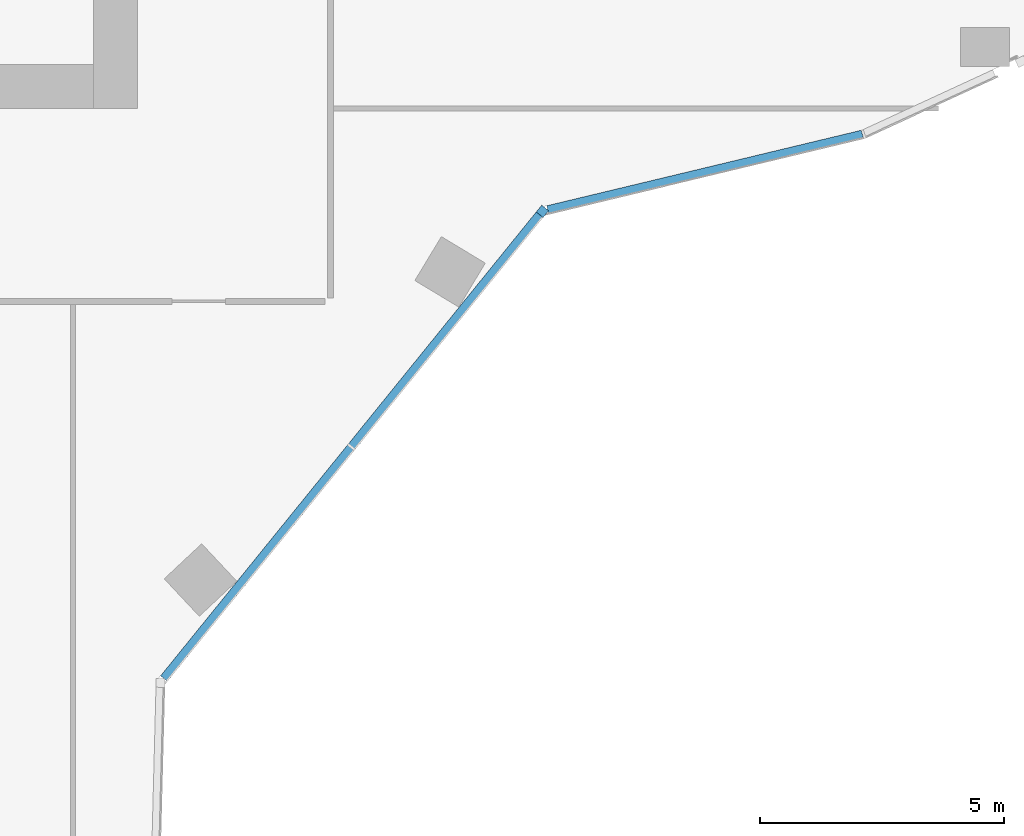
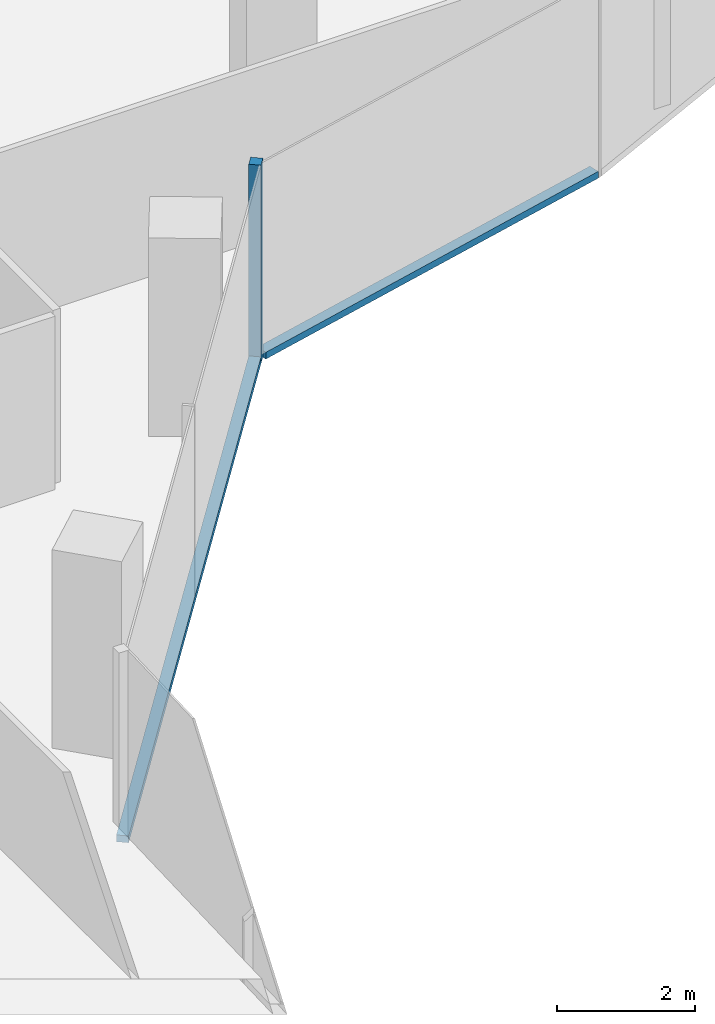
# One storey, part 6 of 23: 3 members, 2 elements without a shape of their own.
"""IFC4 building model written with IfcOpenShell, lengths in metres."""

from ifc_helpers import new_model, si_unit, direction, frame, origin, origin_2d, place, context, subcontext, project, spatial, rectangle, extrude, material, material_profile, profile_set, type_object, element, aggregate, save


model = new_model("IFC4")

# Units and contexts
model_context = context("Model", 3, precision=1e-05, world=origin(), true_north=direction((0.0, 1.0)))
body_context = subcontext(model_context, "Body", "Model", "MODEL_VIEW")
ifc_project = project(units=[si_unit("LENGTHUNIT", "METRE"), si_unit("AREAUNIT", "SQUARE_METRE"), si_unit("VOLUMEUNIT", "CUBIC_METRE"), si_unit("PLANEANGLEUNIT", "RADIAN"), si_unit("MASSUNIT", "GRAM", prefix="KILO")], contexts=[model_context])

# Site, building, storey
site_placement = place(None, origin())
site = spatial("IfcSite", under=ifc_project, at=site_placement, CompositionType="ELEMENT")
building_placement = place(site_placement, origin())
building = spatial("IfcBuilding", under=site, at=building_placement, Name="Orlundy Tower", CompositionType="ELEMENT")
storey_placement = place(building_placement, frame((0.0, 0.0, 221.0)))
storey = spatial("IfcBuildingStorey", under=building, at=storey_placement, Name="L58", CompositionType="ELEMENT", Elevation=221.0)

# Curtain wall, member
ifc_material_1 = material(Name="Aluminium bronze anodised", Category="aluminium")
curtain_wall_type = type_object("IfcCurtainWallType", Name="CW1 wall", PredefinedType="NOTDEFINED", material=ifc_material_1)
curtain_wall_1_placement = place(storey_placement, origin())
curtain_wall_1 = element("IfcCurtainWall", 1, at=curtain_wall_1_placement, inside=storey, type_object=curtain_wall_type, Name="CW1 run 017", PredefinedType="NOTDEFINED")
ifc_material_2 = material(Name="Aluminium bronze anodised", Category="aluminium")
ifc_material_profile_1 = material_profile(ifc_material_2, rectangle(XDim=0.179931640625, YDim=0.179931640625, at=origin_2d()), Name="CW1 corner post 180x180")
ifc_profile_set_1 = profile_set([ifc_material_profile_1], Name="Aluminium bronze anodised")
member_type_1 = type_object("IfcMemberType", Name="CW1 corner post 180x180", PredefinedType="MULLION", material=ifc_profile_set_1)
member_1_placement = place(storey_placement, frame((27.293701171875, -14.1083984375, -0.419921875), z_axis=(0.0, 0.0, 1.0), x_axis=(0.777119891969, -0.629352582823, 0.0)))
member_1 = element("IfcMember", 2, at=member_1_placement, type_object=member_type_1, Name="CW1 mullion 37", PredefinedType="MULLION", context=body_context, shape_type="SweptSolid", body=[
    extrude(rectangle(XDim=0.179931640625, YDim=0.179931640625, at=origin_2d()), origin(), (0.0, 0.0, 1.0), 3.5),
])

curtain_wall_2_placement = place(storey_placement, origin())
curtain_wall_2 = element("IfcCurtainWall", 3, at=curtain_wall_2_placement, inside=storey, type_object=curtain_wall_type, Name="CW1 run 016", PredefinedType="NOTDEFINED")
ifc_material_3 = material(Name="Aluminium bronze anodised", Category="aluminium")
ifc_material_profile_2 = material_profile(ifc_material_3, rectangle(XDim=0.179931640625, YDim=0.1201171875, at=origin_2d()), Name="CW1 transom 180x120")
ifc_profile_set_2 = profile_set([ifc_material_profile_2], Name="Aluminium bronze anodised")
member_type_2 = type_object("IfcMemberType", Name="CW1 transom 180x120", PredefinedType="USERDEFINED", material=ifc_profile_set_2)
member_2_placement = place(storey_placement, frame((33.84521484375, -12.535400390625, -0.360107421875), z_axis=(-0.972369902836, -0.233445437007, 0.0), x_axis=(0.233445437007, -0.972369902836, 0.0)))
member_2 = element("IfcMember", 4, at=member_2_placement, type_object=member_type_2, Name="CW1 transom", ObjectType="TRANSOM", PredefinedType="USERDEFINED", context=body_context, shape_type="SweptSolid", body=[
    extrude(rectangle(XDim=0.179931640625, YDim=0.1201171875, at=origin_2d()), origin(), (0.0, 0.0, 1.0), 6.624267578125),
])
aggregate(curtain_wall_2, [member_2])

# Member
member_3_placement = place(storey_placement, frame((27.237060546875, -14.17822265625, -0.360107421875), z_axis=(-0.629341885038, -0.777128555477, 0.0), x_axis=(0.777128555477, -0.629341885038, 0.0)))
member_3 = element("IfcMember", 5, at=member_3_placement, type_object=member_type_2, Name="CW1 transom", ObjectType="TRANSOM", PredefinedType="USERDEFINED", context=body_context, shape_type="SweptSolid", body=[
    extrude(rectangle(XDim=0.179931640625, YDim=0.1201171875, at=origin_2d()), origin(), (0.0, 0.0, 1.0), 12.221435546875),
])

aggregate(curtain_wall_1, [member_1, member_3])

save(model, "model.ifc")
